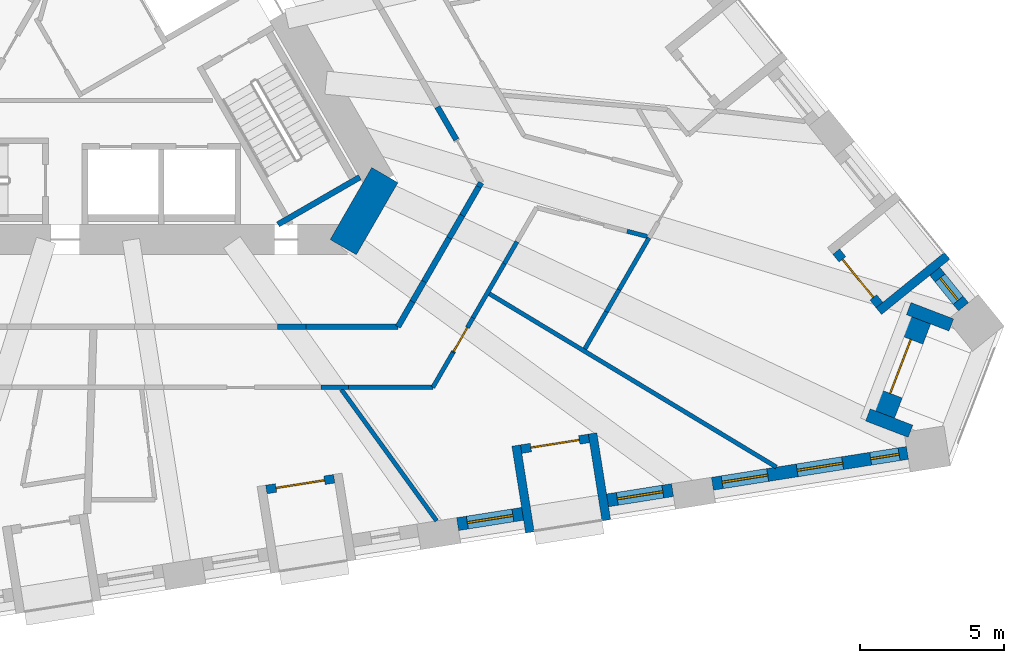
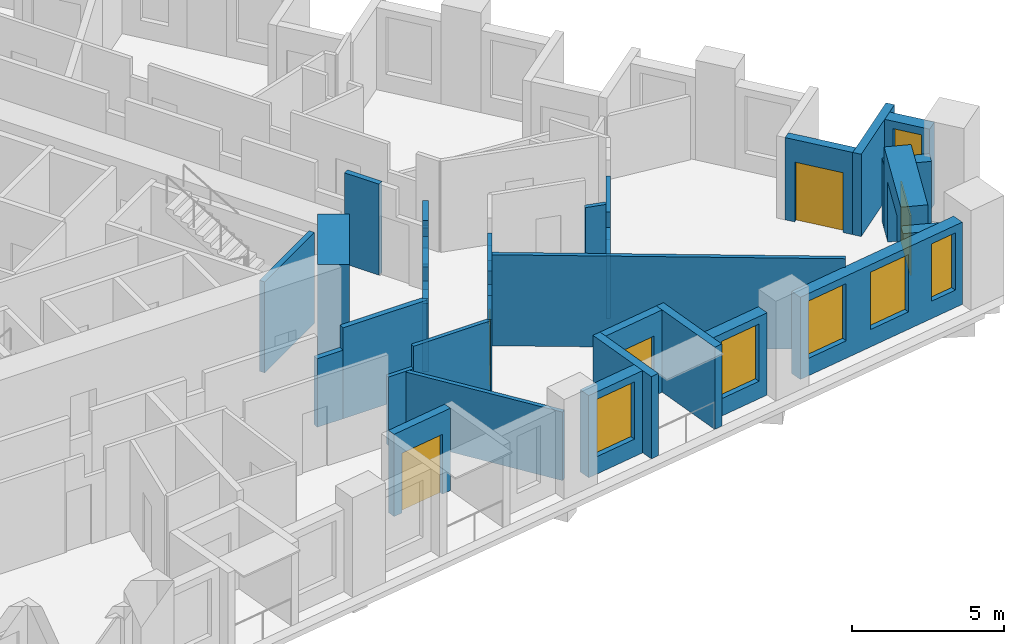
# One storey, part 6 of 14: 36 walls, 6 windows, 5 doors, 11 openings.
"""IFC4 building model written with IfcOpenShell, lengths in metres."""

from ifc_helpers import new_model, si_unit, direction, frame, frame_2d, origin, place, context, subcontext, project, spatial, polyline, rectangle, outline, extrude, material, layer, layer_set, type_object, element, fill, save


model = new_model("IFC4")

# Units and contexts
model_context = context("Model", 3, precision=1e-05, world=origin(), true_north=direction((0.0, 1.0)))
body_context = subcontext(model_context, "Body", "Model", "MODEL_VIEW")
ifc_project = project(units=[si_unit("LENGTHUNIT", "METRE"), si_unit("AREAUNIT", "SQUARE_METRE"), si_unit("VOLUMEUNIT", "CUBIC_METRE"), si_unit("PLANEANGLEUNIT", "RADIAN"), si_unit("MASSUNIT", "GRAM", prefix="KILO")], contexts=[model_context])

# Site, building, storey
site_placement = place(None, origin())
site = spatial("IfcSite", under=ifc_project, at=site_placement, CompositionType="ELEMENT")
building_placement = place(site_placement, origin())
building = spatial("IfcBuilding", under=site, at=building_placement, Name="Tramontana Tower", CompositionType="ELEMENT")
storey_placement = place(building_placement, frame((0.0, 0.0, 63.199951171875)))
storey = spatial("IfcBuildingStorey", under=building, at=storey_placement, Name="L13", CompositionType="ELEMENT", Elevation=63.199951171875)

# Walls
ifc_material_1 = material(Name="Concrete 70 MPa", Category="concrete")
ifc_layer_1 = layer(ifc_material_1, 1.050048828125)
ifc_layer_set_1 = layer_set([ifc_layer_1], Name="Core wall 1050 70 MPa")
wall_type_1 = type_object("IfcWallType", Name="Core wall 1050 70 MPa", PredefinedType="SHEAR", material=ifc_layer_set_1)
wall_1_placement = place(storey_placement, frame((8.349853515625, -6.487548828125, 0.0), z_axis=(0.0, 0.0, 1.0), x_axis=(0.499995765644, 0.866027848477, 0.0)))
element("IfcWall", 1, at=wall_1_placement, inside=storey, type_object=wall_type_1, Name="Core wall C4 L13", PredefinedType="SHEAR", context=body_context, shape_type="SweptSolid", body=[
    extrude(rectangle(XDim=2.88671875, YDim=1.050048828125, at=frame_2d((1.443359375, 0.0))), origin(), (0.0, 0.0, 1.0), 4.0),
])
ifc_material_2 = material(Name="Blockwork", Category="masonry")
ifc_layer_2 = layer(ifc_material_2, 0.199951171875)
ifc_layer_set_2 = layer_set([ifc_layer_2], Name="ENTRY WALL 200")
wall_type_2 = type_object("IfcWallType", Name="ENTRY WALL 200", PredefinedType="SOLIDWALL", material=ifc_layer_set_2)
wall_2_placement = place(storey_placement, frame((11.618408203125, -1.623779296875, 0.0), z_axis=(0.0, 0.0, 1.0), x_axis=(0.500060622324, -0.86599040064, 0.0)))
element("IfcWall", 2, at=wall_2_placement, inside=storey, type_object=wall_type_2, Name="Wall v11-ew0-8", PredefinedType="SOLIDWALL", context=body_context, shape_type="SweptSolid", body=[
    extrude(rectangle(XDim=1.312255859375, YDim=0.199951171875, at=frame_2d((0.65625, 0.0))), origin(), (0.0, 0.0, 1.0), 3.650146484375),
])
wall_3_placement = place(storey_placement, frame((13.134765625, -4.25, 0.0), z_axis=(0.0, 0.0, 1.0), x_axis=(-0.500586455622, -0.865686548612, 0.0)))
element("IfcWall", 3, at=wall_3_placement, inside=storey, type_object=wall_type_2, Name="Wall v11-ew1-0", PredefinedType="SOLIDWALL", context=body_context, shape_type="SweptSolid", body=[
    extrude(rectangle(XDim=0.171142578125, YDim=0.199951171875, at=frame_2d((0.08544921875, 0.0))), origin(), (0.0, 0.0, 1.0), 2.550048828125),
])
wall_4_placement = place(storey_placement, frame((13.049072265625, -4.398193359375, 0.0), z_axis=(0.0, 0.0, 1.0), x_axis=(-0.499889102667, -0.866089420923, 0.0)))
element("IfcWall", 4, at=wall_4_placement, inside=storey, type_object=wall_type_2, Name="Wall v11-ew1-1", PredefinedType="SOLIDWALL", context=body_context, shape_type="SweptSolid", body=[
    extrude(rectangle(XDim=1.141357421875, YDim=0.199951171875, at=frame_2d((0.57080078125, 0.0))), origin(), (0.0, 0.0, 1.0), 3.650146484375),
])
wall_5_placement = place(storey_placement, frame((12.478515625, -5.38671875, 0.0), z_axis=(0.0, 0.0, 1.0), x_axis=(-0.500151474942, -0.865937932021, 0.0)))
element("IfcWall", 5, at=wall_5_placement, inside=storey, type_object=wall_type_2, Name="Wall v11-ew1-2", PredefinedType="SOLIDWALL", context=body_context, shape_type="SweptSolid", body=[
    extrude(rectangle(XDim=0.903076171875, YDim=0.199951171875, at=frame_2d((0.45166015625, 0.0))), origin(), (0.0, 0.0, 1.0), 2.550048828125),
])
wall_6_placement = place(storey_placement, frame((12.02685546875, -6.168701171875, 0.0), z_axis=(0.0, 0.0, 1.0), x_axis=(-0.499900037626, -0.866083109396, 0.0)))
element("IfcWall", 6, at=wall_6_placement, inside=storey, type_object=wall_type_2, Name="Wall v11-ew1-3", PredefinedType="SOLIDWALL", context=body_context, shape_type="SweptSolid", body=[
    extrude(rectangle(XDim=1.745361328125, YDim=0.199951171875, at=frame_2d((0.87255859375, 0.0))), origin(), (0.0, 0.0, 1.0), 3.650146484375),
])
wall_7_placement = place(storey_placement, frame((11.154296875, -7.680419921875, 0.0), z_axis=(0.0, 0.0, 1.0), x_axis=(-0.500151261923, -0.865938055058, 0.0)))
element("IfcWall", 7, at=wall_7_placement, inside=storey, type_object=wall_type_2, Name="Wall v11-ew1-4", PredefinedType="SOLIDWALL", context=body_context, shape_type="SweptSolid", body=[
    extrude(rectangle(XDim=0.804931640625, YDim=0.199951171875, at=frame_2d((0.40234375, 0.0))), origin(), (0.0, 0.0, 1.0), 2.75),
])
wall_8_placement = place(storey_placement, frame((10.751708984375, -8.37744140625, 0.0), z_axis=(0.0, 0.0, 1.0), x_axis=(-0.499918237861, -0.866072604031, 0.0)))
element("IfcWall", 8, at=wall_8_placement, inside=storey, type_object=wall_type_2, Name="Wall v11-ew1-5", PredefinedType="SOLIDWALL", context=body_context, shape_type="SweptSolid", body=[
    extrude(rectangle(XDim=1.007568359375, YDim=0.199951171875, at=frame_2d((0.50390625, 0.0))), origin(), (0.0, 0.0, 1.0), 3.650146484375),
])
wall_9_placement = place(storey_placement, frame((10.248046875, -9.25, 0.0), z_axis=(0.0, 0.0, 1.0), x_axis=(-1.0, 0.0, 0.0)))
element("IfcWall", 9, at=wall_9_placement, inside=storey, type_object=wall_type_2, Name="Wall v11-ew2-0", PredefinedType="SOLIDWALL", context=body_context, shape_type="SweptSolid", body=[
    extrude(rectangle(XDim=3.190673828125, YDim=0.199951171875, at=frame_2d((1.59521484375, 0.0))), origin(), (0.0, 0.0, 1.0), 3.650146484375),
])
wall_10_placement = place(storey_placement, frame((7.057373046875, -9.25, 0.0), z_axis=(0.0, 0.0, 1.0), x_axis=(-1.0, 0.0, 0.0)))
element("IfcWall", 10, at=wall_10_placement, inside=storey, type_object=wall_type_2, Name="Wall v11-ew2-1", PredefinedType="SOLIDWALL", context=body_context, shape_type="SweptSolid", body=[
    extrude(rectangle(XDim=0.981201171875, YDim=0.199951171875, at=frame_2d((0.49072265625, 0.0))), origin(), (0.0, 0.0, 1.0), 2.75),
])

# Wall, opening, window
ifc_material_3 = material(Name="Precast concrete 60 MPa", Category="concrete")
ifc_layer_3 = layer(ifc_material_3, 0.449951171875)
ifc_layer_set_3 = layer_set([ifc_layer_3], Name="Precast concrete 60 MPa, 450 mm")
wall_type_3 = type_object("IfcWallType", Name="EW1 Stone-faced precast wall 450", PredefinedType="SOLIDWALL", material=ifc_layer_set_3)
wall_11_placement = place(storey_placement, frame((12.318603515625, -16.09619140625, 0.0), z_axis=(0.0, 0.0, 1.0), x_axis=(0.987685675151, 0.156451293065, 0.0)))
wall_11 = element("IfcWall", 11, at=wall_11_placement, inside=storey, type_object=wall_type_3, Name="External wall L13 face 1 bay 5", PredefinedType="SOLIDWALL", context=body_context, shape_type="SweptSolid", body=[
    extrude(rectangle(XDim=2.282958984375, YDim=0.449951171875, at=frame_2d((1.1416015625, 0.0))), origin(), (0.0, 0.0, 1.0), 3.300048828125),
])
opening_1_placement = place(wall_11_placement, frame((0.341552734375, 0.0, 0.699951171875)))
opening_1 = element("IfcOpeningElement", 12, at=opening_1_placement, cuts=wall_11, Name="Opening M1", PredefinedType="OPENING", context=body_context, shape_type="SweptSolid", body=[
    extrude(rectangle(XDim=1.60009765625, YDim=2.300048828125, at=frame_2d((0.800048828125, 1.14990234375))), frame((0.0, 0.23486328125, 0.0), z_axis=(0.0, -1.0, 0.0), x_axis=(1.0, 0.0, 0.0)), (0.0, 0.0, 1.0), 0.469970703125),
])
ifc_material_4 = material(Name="Aluminum frame, double glazing unit", Category="aluminium")
window_type_1 = type_object("IfcWindowType", Name="M1 Window 1.6 x 2.3", PartitioningType="SINGLE_PANEL", PredefinedType="WINDOW", material=ifc_material_4)
window_1_placement = place(opening_1_placement, origin())
window_1 = element("IfcWindow", 13, at=window_1_placement, inside=storey, type_object=window_type_1, Name="Window M1 L13 face 1 module 13", OverallHeight=2.300048828125, OverallWidth=1.60009765625, PartitioningType="SINGLE_PANEL", PredefinedType="WINDOW", context=body_context, shape_type="SweptSolid", body=[
    extrude(rectangle(XDim=1.60009765625, YDim=2.300048828125, at=frame_2d((0.800048828125, 1.14990234375))), frame((0.0, 0.030029296875, 0.0), z_axis=(0.0, -1.0, 0.0), x_axis=(1.0, 0.0, 0.0)), (0.0, 0.0, 1.0), 0.06005859375),
])
fill(opening_1, window_1)

wall_12_placement = place(storey_placement, frame((17.519775390625, -15.2724609375, 0.0), z_axis=(0.0, 0.0, 1.0), x_axis=(0.987685675151, 0.156451293065, 0.0)))
wall_12 = element("IfcWall", 14, at=wall_12_placement, inside=storey, type_object=wall_type_3, Name="External wall L13 face 1 bay 5", PredefinedType="SOLIDWALL", context=body_context, shape_type="SweptSolid", body=[
    extrude(rectangle(XDim=2.282958984375, YDim=0.449951171875, at=frame_2d((1.1416015625, 0.0))), origin(), (0.0, 0.0, 1.0), 3.300048828125),
])
opening_2_placement = place(wall_12_placement, frame((0.341552734375, 0.0, 0.699951171875)))
opening_2 = element("IfcOpeningElement", 15, at=opening_2_placement, cuts=wall_12, Name="Opening M1", PredefinedType="OPENING", context=body_context, shape_type="SweptSolid", body=[
    extrude(rectangle(XDim=1.60009765625, YDim=2.300048828125, at=frame_2d((0.800048828125, 1.14990234375))), frame((0.0, 0.23486328125, 0.0), z_axis=(0.0, -1.0, 0.0), x_axis=(1.0, 0.0, 0.0)), (0.0, 0.0, 1.0), 0.469970703125),
])
window_2_placement = place(opening_2_placement, origin())
window_2 = element("IfcWindow", 16, at=window_2_placement, inside=storey, type_object=window_type_1, Name="Window M1 L13 face 1 module 15", OverallHeight=2.300048828125, OverallWidth=1.60009765625, PartitioningType="SINGLE_PANEL", PredefinedType="WINDOW", context=body_context, shape_type="SweptSolid", body=[
    extrude(rectangle(XDim=1.60009765625, YDim=2.300048828125, at=frame_2d((0.800048828125, 1.14990234375))), frame((0.0, 0.030029296875, 0.0), z_axis=(0.0, -1.0, 0.0), x_axis=(1.0, 0.0, 0.0)), (0.0, 0.0, 1.0), 0.06005859375),
])
fill(opening_2, window_2)

# Wall, openings, windows
wall_13_placement = place(storey_placement, frame((21.1572265625, -14.6962890625, 0.0), z_axis=(0.0, 0.0, 1.0), x_axis=(0.987685675151, 0.156451293065, 0.0)))
wall_13 = element("IfcWall", 17, at=wall_13_placement, inside=storey, type_object=wall_type_3, Name="External wall L13 face 1 bay 6", PredefinedType="SOLIDWALL", context=body_context, shape_type="SweptSolid", body=[
    extrude(rectangle(XDim=6.848876953125, YDim=0.449951171875, at=frame_2d((3.42431640625, 0.0))), origin(), (0.0, 0.0, 1.0), 3.300048828125),
])
opening_3_placement = place(wall_13_placement, frame((0.341552734375, 0.0, 0.699951171875)))
opening_3 = element("IfcOpeningElement", 18, at=opening_3_placement, cuts=wall_13, Name="Opening M1", PredefinedType="OPENING", context=body_context, shape_type="SweptSolid", body=[
    extrude(rectangle(XDim=1.60009765625, YDim=2.300048828125, at=frame_2d((0.800048828125, 1.14990234375))), frame((0.0, 0.23486328125, 0.0), z_axis=(0.0, -1.0, 0.0), x_axis=(1.0, 0.0, 0.0)), (0.0, 0.0, 1.0), 0.469970703125),
])
opening_4_placement = place(wall_13_placement, frame((2.974365234375, 0.0, 0.699951171875)))
opening_4 = element("IfcOpeningElement", 19, at=opening_4_placement, cuts=wall_13, Name="Opening M1", PredefinedType="OPENING", context=body_context, shape_type="SweptSolid", body=[
    extrude(rectangle(XDim=1.60009765625, YDim=2.300048828125, at=frame_2d((0.800048828125, 1.14990234375))), frame((0.0, 0.23486328125, 0.0), z_axis=(0.0, -1.0, 0.0), x_axis=(1.0, 0.0, 0.0)), (0.0, 0.0, 1.0), 0.469970703125),
])
opening_5_placement = place(wall_13_placement, frame((5.557373046875, 0.0, 0.699951171875)))
opening_5 = element("IfcOpeningElement", 20, at=opening_5_placement, cuts=wall_13, Name="Opening N1", PredefinedType="OPENING", context=body_context, shape_type="SweptSolid", body=[
    extrude(rectangle(XDim=1.0, YDim=2.300048828125, at=frame_2d((0.5, 1.14990234375))), frame((0.0, 0.23486328125, 0.0), z_axis=(0.0, -1.0, 0.0), x_axis=(1.0, 0.0, 0.0)), (0.0, 0.0, 1.0), 0.469970703125),
])
window_3_placement = place(opening_3_placement, origin())
window_3 = element("IfcWindow", 21, at=window_3_placement, inside=storey, type_object=window_type_1, Name="Window M1 L13 face 1 module 16", OverallHeight=2.300048828125, OverallWidth=1.60009765625, PartitioningType="SINGLE_PANEL", PredefinedType="WINDOW", context=body_context, shape_type="SweptSolid", body=[
    extrude(rectangle(XDim=1.60009765625, YDim=2.300048828125, at=frame_2d((0.800048828125, 1.14990234375))), frame((0.0, 0.030029296875, 0.0), z_axis=(0.0, -1.0, 0.0), x_axis=(1.0, 0.0, 0.0)), (0.0, 0.0, 1.0), 0.06005859375),
])
fill(opening_3, window_3)
window_4_placement = place(opening_4_placement, origin())
window_4 = element("IfcWindow", 22, at=window_4_placement, inside=storey, type_object=window_type_1, Name="Window M1 L13 face 1 module 17", OverallHeight=2.300048828125, OverallWidth=1.60009765625, PartitioningType="SINGLE_PANEL", PredefinedType="WINDOW", context=body_context, shape_type="SweptSolid", body=[
    extrude(rectangle(XDim=1.60009765625, YDim=2.300048828125, at=frame_2d((0.800048828125, 1.14990234375))), frame((0.0, 0.030029296875, 0.0), z_axis=(0.0, -1.0, 0.0), x_axis=(1.0, 0.0, 0.0)), (0.0, 0.0, 1.0), 0.06005859375),
])
fill(opening_4, window_4)
ifc_material_5 = material(Name="Aluminum frame, double glazing unit", Category="aluminium")
window_type_2 = type_object("IfcWindowType", Name="N1 Window 1 x 2.3", PartitioningType="SINGLE_PANEL", PredefinedType="WINDOW", material=ifc_material_5)
window_5_placement = place(opening_5_placement, origin())
window_5 = element("IfcWindow", 23, at=window_5_placement, inside=storey, type_object=window_type_2, Name="Window N1 L13 face 1 module 18", OverallHeight=2.300048828125, OverallWidth=1.0, PartitioningType="SINGLE_PANEL", PredefinedType="WINDOW", context=body_context, shape_type="SweptSolid", body=[
    extrude(rectangle(XDim=1.0, YDim=2.300048828125, at=frame_2d((0.5, 1.14990234375))), frame((0.0, 0.030029296875, 0.0), z_axis=(0.0, -1.0, 0.0), x_axis=(1.0, 0.0, 0.0)), (0.0, 0.0, 1.0), 0.06005859375),
])
fill(opening_5, window_5)

# Wall, opening, window
wall_14_placement = place(storey_placement, frame((29.86669921875, -8.558349609375, 0.0), z_axis=(0.0, 0.0, 1.0), x_axis=(-0.629273652342, 0.77718380739, 0.0)))
wall_14 = element("IfcWall", 24, at=wall_14_placement, inside=storey, type_object=wall_type_3, Name="External wall L13 face 2 bay 1", PredefinedType="SOLIDWALL", context=body_context, shape_type="SweptSolid", body=[
    extrude(rectangle(XDim=1.5830078125, YDim=0.449951171875, at=frame_2d((0.79150390625, 0.0))), origin(), (0.0, 0.0, 1.0), 3.300048828125),
])
opening_6_placement = place(wall_14_placement, frame((0.29150390625, 0.0, 0.699951171875)))
opening_6 = element("IfcOpeningElement", 25, at=opening_6_placement, cuts=wall_14, Name="Opening N1", PredefinedType="OPENING", context=body_context, shape_type="SweptSolid", body=[
    extrude(rectangle(XDim=1.0, YDim=2.300048828125, at=frame_2d((0.5, 1.14990234375))), frame((0.0, 0.23486328125, 0.0), z_axis=(0.0, -1.0, 0.0), x_axis=(1.0, 0.0, 0.0)), (0.0, 0.0, 1.0), 0.469970703125),
])
window_6_placement = place(opening_6_placement, origin())
window_6 = element("IfcWindow", 26, at=window_6_placement, inside=storey, type_object=window_type_2, Name="Window N1 L13 face 2 module 1", OverallHeight=2.300048828125, OverallWidth=1.0, PartitioningType="SINGLE_PANEL", PredefinedType="WINDOW", context=body_context, shape_type="SweptSolid", body=[
    extrude(rectangle(XDim=1.0, YDim=2.300048828125, at=frame_2d((0.5, 1.14990234375))), frame((0.0, 0.030029296875, 0.0), z_axis=(0.0, -1.0, 0.0), x_axis=(1.0, 0.0, 0.0)), (0.0, 0.0, 1.0), 0.06005859375),
])
fill(opening_6, window_6)

# Walls
for number, where, z_axis, x_axis, name in (
    (27, (29.442626953125, -9.1865234375, 0.0), (0.0, 0.0, 1.0), (-0.93358843832, 0.358347077335, 0.0), "Corner loggia side wall L13 K12l"),
    (28, (28.027099609375, -12.8740234375, 0.0), (0.0, 0.0, 1.0), (-0.93358843832, 0.358347077335, 0.0), "Corner loggia side wall L13 K12r"),
):
    element("IfcWall", number, at=place(storey_placement, frame(where, z_axis=z_axis, x_axis=x_axis)), inside=storey, type_object=wall_type_3, Name=name, PredefinedType="SOLIDWALL", context=body_context, shape_type="SweptSolid", body=[
        extrude(rectangle(XDim=1.579345703125, YDim=0.449951171875, at=frame_2d((0.78955078125, 0.0))), origin(), (0.0, 0.0, 1.0), 2.550048828125),
    ])

# Wall, opening, door
ifc_material_6 = material(Name="Precast concrete 60 MPa", Category="concrete")
ifc_layer_4 = layer(ifc_material_6, 0.89990234375)
ifc_layer_set_4 = layer_set([ifc_layer_4], Name="EW2 Stone-faced corner loggia wall 900")
wall_type_4 = type_object("IfcWallType", Name="EW2 Stone-faced corner loggia wall 900", PredefinedType="SOLIDWALL", material=ifc_layer_set_4)
wall_15_placement = place(storey_placement, frame((28.307861328125, -8.991943359375, 0.0), z_axis=(0.0, 0.0, 1.0), x_axis=(-0.35841340332, -0.933562977158, 0.0)))
wall_15 = element("IfcWall", 29, at=wall_15_placement, inside=storey, type_object=wall_type_4, Name="Corner loggia wall L13 K12", PredefinedType="SOLIDWALL", context=body_context, shape_type="SweptSolid", body=[
    extrude(rectangle(XDim=3.499755859375, YDim=0.89990234375, at=frame_2d((1.75, 0.0))), origin(), (0.0, 0.0, 1.0), 3.300048828125),
])
opening_7_placement = place(wall_15_placement, frame((0.75, 0.0, 0.0)))
opening_7 = element("IfcOpeningElement", 30, at=opening_7_placement, cuts=wall_15, Name="Opening BD-12C", PredefinedType="OPENING", context=body_context, shape_type="SweptSolid", body=[
    extrude(rectangle(XDim=2.0, YDim=2.39990234375, at=frame_2d((1.0, 1.199951171875))), frame((0.0, 0.4599609375, 0.0), z_axis=(0.0, -1.0, 0.0), x_axis=(1.0, 0.0, 0.0)), (0.0, 0.0, 1.0), 0.919921875),
])
ifc_material_7 = material(Name="Aluminum frame, double glazing unit", Category="aluminium")
door_type_1 = type_object("IfcDoorType", Name="BC1 Sliding door 2 x 2.4", OperationType="SLIDING_TO_LEFT", PredefinedType="DOOR", material=ifc_material_7)
door_1_placement = place(opening_7_placement, origin())
door_1 = element("IfcDoor", 31, at=door_1_placement, inside=storey, type_object=door_type_1, Name="Corner loggia door L13 K12", OperationType="SLIDING_TO_LEFT", OverallHeight=2.39990234375, OverallWidth=2.0, PredefinedType="DOOR", context=body_context, shape_type="SweptSolid", body=[
    extrude(rectangle(XDim=2.0, YDim=2.39990234375, at=frame_2d((1.0, 1.199951171875))), frame((0.0, 0.02490234375, 0.0), z_axis=(0.0, -1.0, 0.0), x_axis=(1.0, 0.0, 0.0)), (0.0, 0.0, 1.0), 0.050048828125),
])
fill(opening_7, door_1)

ifc_material_8 = material(Name="Precast concrete 60 MPa", Category="concrete")
ifc_layer_5 = layer(ifc_material_8, 0.300048828125)
ifc_layer_set_5 = layer_set([ifc_layer_5], Name="LW1 Stone-faced loggia wall 300")
wall_type_5 = type_object("IfcWallType", Name="LW1 Stone-faced loggia wall 300", PredefinedType="SOLIDWALL", material=ifc_layer_set_5)
wall_16_placement = place(storey_placement, frame((5.682861328125, -14.894287109375, 0.0), z_axis=(0.0, 0.0, 1.0), x_axis=(0.987688093492, 0.15643602518, 0.0)))
wall_16 = element("IfcWall", 32, at=wall_16_placement, inside=storey, type_object=wall_type_5, Name="Loggia wall L13 G1S1.10", PredefinedType="SOLIDWALL", context=body_context, shape_type="SweptSolid", body=[
    extrude(rectangle(XDim=2.383056640625, YDim=0.300048828125, at=frame_2d((1.19140625, 0.0))), origin(), (0.0, 0.0, 1.0), 3.300048828125),
])
opening_8_placement = place(wall_16_placement, frame((0.341552734375, 0.0, 0.0)))
opening_8 = element("IfcOpeningElement", 33, at=opening_8_placement, cuts=wall_16, Name="Opening BD-1S1-10", PredefinedType="OPENING", context=body_context, shape_type="SweptSolid", body=[
    extrude(rectangle(XDim=1.699951171875, YDim=2.39990234375, at=frame_2d((0.85009765625, 1.199951171875))), frame((0.0, 0.159912109375, 0.0), z_axis=(0.0, -1.0, 0.0), x_axis=(1.0, 0.0, 0.0)), (0.0, 0.0, 1.0), 0.320068359375),
])
ifc_material_9 = material(Name="Aluminum frame, double glazing unit", Category="aluminium")
door_type_2 = type_object("IfcDoorType", Name="BD1 Sliding door 1.7 x 2.4", OperationType="SLIDING_TO_LEFT", PredefinedType="DOOR", material=ifc_material_9)
door_2_placement = place(opening_8_placement, origin())
door_2 = element("IfcDoor", 34, at=door_2_placement, inside=storey, type_object=door_type_2, Name="Loggia door L13 G1S1.10", OperationType="SLIDING_TO_LEFT", OverallHeight=2.39990234375, OverallWidth=1.699951171875, PredefinedType="DOOR", context=body_context, shape_type="SweptSolid", body=[
    extrude(rectangle(XDim=1.699951171875, YDim=2.39990234375, at=frame_2d((0.85009765625, 1.199951171875))), frame((0.0, 0.02490234375, 0.0), z_axis=(0.0, -1.0, 0.0), x_axis=(1.0, 0.0, 0.0)), (0.0, 0.0, 1.0), 0.050048828125),
])
fill(opening_8, door_2)

wall_17_placement = place(storey_placement, frame((14.521728515625, -13.494384765625, 0.0), z_axis=(0.0, 0.0, 1.0), x_axis=(0.987685586014, 0.156451855793, 0.0)))
wall_17 = element("IfcWall", 35, at=wall_17_placement, inside=storey, type_object=wall_type_5, Name="Loggia wall L13 G1S1.13", PredefinedType="SOLIDWALL", context=body_context, shape_type="SweptSolid", body=[
    extrude(rectangle(XDim=2.3828125, YDim=0.300048828125, at=frame_2d((1.19140625, 0.0))), origin(), (0.0, 0.0, 1.0), 3.300048828125),
])
opening_9_placement = place(wall_17_placement, frame((0.341552734375, 0.0, 0.0)))
opening_9 = element("IfcOpeningElement", 36, at=opening_9_placement, cuts=wall_17, Name="Opening BD-1S1-13", PredefinedType="OPENING", context=body_context, shape_type="SweptSolid", body=[
    extrude(rectangle(XDim=1.699951171875, YDim=2.39990234375, at=frame_2d((0.85009765625, 1.199951171875))), frame((0.0, 0.159912109375, 0.0), z_axis=(0.0, -1.0, 0.0), x_axis=(1.0, 0.0, 0.0)), (0.0, 0.0, 1.0), 0.320068359375),
])
door_3_placement = place(opening_9_placement, origin())
door_3 = element("IfcDoor", 37, at=door_3_placement, inside=storey, type_object=door_type_2, Name="Loggia door L13 G1S1.13", OperationType="SLIDING_TO_LEFT", OverallHeight=2.39990234375, OverallWidth=1.699951171875, PredefinedType="DOOR", context=body_context, shape_type="SweptSolid", body=[
    extrude(rectangle(XDim=1.699951171875, YDim=2.39990234375, at=frame_2d((0.85009765625, 1.199951171875))), frame((0.0, 0.02490234375, 0.0), z_axis=(0.0, -1.0, 0.0), x_axis=(1.0, 0.0, 0.0)), (0.0, 0.0, 1.0), 0.050048828125),
])
fill(opening_9, door_3)

# Walls
for number, where, z_axis, x_axis, name in (
    (38, (14.8271484375, -16.38232421875, 0.0), (0.0, 0.0, 1.0), (-0.156410600741, 0.987692120033, 0.0), "Loggia return L13 G1S1.13a"),
    (39, (17.47705078125, -15.96240234375, 0.0), (0.0, 0.0, 1.0), (-0.156410600741, 0.987692120033, 0.0), "Loggia return L13 G1S1.13b"),
):
    element("IfcWall", number, at=place(storey_placement, frame(where, z_axis=z_axis, x_axis=x_axis)), inside=storey, type_object=wall_type_5, Name=name, PredefinedType="SOLIDWALL", context=body_context, shape_type="SweptSolid", body=[
        extrude(rectangle(XDim=3.050048828125, YDim=0.300048828125, at=frame_2d((1.52490234375, 0.0))), origin(), (0.0, 0.0, 1.0), 3.300048828125),
    ])

# Wall, opening, door
wall_18_placement = place(storey_placement, frame((26.95263671875, -8.4951171875, 0.0), z_axis=(0.0, 0.0, 1.0), x_axis=(-0.62930727886, 0.777156579316, 0.0)))
wall_18 = element("IfcWall", 40, at=wall_18_placement, inside=storey, type_object=wall_type_5, Name="Loggia wall L13 G1S2.1", PredefinedType="SOLIDWALL", context=body_context, shape_type="SweptSolid", body=[
    extrude(rectangle(XDim=2.3828125, YDim=0.300048828125, at=frame_2d((1.19140625, 0.0))), origin(), (0.0, 0.0, 1.0), 3.300048828125),
])
opening_10_placement = place(wall_18_placement, frame((0.341552734375, 0.0, 0.0)))
opening_10 = element("IfcOpeningElement", 41, at=opening_10_placement, cuts=wall_18, Name="Opening BD-1S2-01", PredefinedType="OPENING", context=body_context, shape_type="SweptSolid", body=[
    extrude(rectangle(XDim=1.699951171875, YDim=2.39990234375, at=frame_2d((0.85009765625, 1.199951171875))), frame((0.0, 0.159912109375, 0.0), z_axis=(0.0, -1.0, 0.0), x_axis=(1.0, 0.0, 0.0)), (0.0, 0.0, 1.0), 0.320068359375),
])
door_4_placement = place(opening_10_placement, origin())
door_4 = element("IfcDoor", 42, at=door_4_placement, inside=storey, type_object=door_type_2, Name="Loggia door L13 G1S2.1", OperationType="SLIDING_TO_LEFT", OverallHeight=2.39990234375, OverallWidth=1.699951171875, PredefinedType="DOOR", context=body_context, shape_type="SweptSolid", body=[
    extrude(rectangle(XDim=1.699951171875, YDim=2.39990234375, at=frame_2d((0.85009765625, 1.199951171875))), frame((0.0, 0.02490234375, 0.0), z_axis=(0.0, -1.0, 0.0), x_axis=(1.0, 0.0, 0.0)), (0.0, 0.0, 1.0), 0.050048828125),
])
fill(opening_10, door_4)

# Walls
wall_19_placement = place(storey_placement, frame((29.30078125, -6.78662109375, 0.0), z_axis=(0.0, 0.0, 1.0), x_axis=(-0.777153523895, -0.629311052102, 0.0)))
element("IfcWall", 43, at=wall_19_placement, inside=storey, type_object=wall_type_5, Name="Loggia return L13 G1S2.1a", PredefinedType="SOLIDWALL", context=body_context, shape_type="SweptSolid", body=[
    extrude(rectangle(XDim=3.050048828125, YDim=0.300048828125, at=frame_2d((1.52490234375, 0.0))), origin(), (0.0, 0.0, 1.0), 3.300048828125),
])
ifc_material_10 = material(Name="Gypsum board partition")
ifc_layer_6 = layer(ifc_material_10, 0.14990234375)
ifc_layer_set_6 = layer_set([ifc_layer_6], Name="PARTITION 150")
wall_type_6 = type_object("IfcWallType", Name="PARTITION 150", PredefinedType="PARTITIONING", material=ifc_layer_set_6)
wall_20_placement = place(storey_placement, frame((11.46044921875, -11.35009765625, 0.0), z_axis=(0.0, 0.0, 1.0), x_axis=(-1.0, 0.0, 0.0)))
element("IfcWall", 44, at=wall_20_placement, inside=storey, type_object=wall_type_6, Name="Wall v11-pw43-0", PredefinedType="PARTITIONING", context=body_context, shape_type="SweptSolid", body=[
    extrude(rectangle(XDim=2.927734375, YDim=0.14990234375, at=frame_2d((1.4638671875, 0.0))), origin(), (0.0, 0.0, 1.0), 3.650146484375),
])
wall_21_placement = place(storey_placement, frame((8.53271484375, -11.35009765625, 0.0), z_axis=(0.0, 0.0, 1.0), x_axis=(-1.0, 0.0, 0.0)))
element("IfcWall", 45, at=wall_21_placement, inside=storey, type_object=wall_type_6, Name="Wall v11-pw43-1", PredefinedType="PARTITIONING", context=body_context, shape_type="SweptSolid", body=[
    extrude(rectangle(XDim=0.950439453125, YDim=0.14990234375, at=frame_2d((0.47509765625, 0.0))), origin(), (0.0, 0.0, 1.0), 2.75),
])
wall_22_placement = place(storey_placement, frame((11.592041015625, -15.9833984375, 0.0), z_axis=(0.0, 0.0, 1.0), x_axis=(-0.587096160598, 0.809517200689, 0.0)))
element("IfcWall", 46, at=wall_22_placement, inside=storey, type_object=wall_type_6, Name="Wall v11-pw44-0", PredefinedType="PARTITIONING", context=body_context, shape_type="SweptSolid", body=[
    extrude(rectangle(XDim=5.630859375, YDim=0.14990234375, at=frame_2d((2.8154296875, 0.0))), origin(), (0.0, 0.0, 1.0), 2.75),
])
wall_23_placement = place(storey_placement, frame((14.378173828125, -6.296142578125, 0.0), z_axis=(0.0, 0.0, 1.0), x_axis=(-0.49990697594, -0.86607910459, 0.0)))
element("IfcWall", 47, at=wall_23_placement, inside=storey, type_object=wall_type_6, Name="Wall v11-pw51-1", PredefinedType="PARTITIONING", context=body_context, shape_type="SweptSolid", body=[
    extrude(rectangle(XDim=0.878173828125, YDim=0.14990234375, at=frame_2d((0.43896484375, 0.0))), origin(), (0.0, 0.0, 1.0), 2.550048828125),
])
wall_24_placement = place(storey_placement, frame((13.939208984375, -7.056640625, 0.0), z_axis=(0.0, 0.0, 1.0), x_axis=(-0.499978335414, -0.866037911478, 0.0)))
element("IfcWall", 48, at=wall_24_placement, inside=storey, type_object=wall_type_6, Name="Wall v11-pw51-2", PredefinedType="PARTITIONING", context=body_context, shape_type="SweptSolid", body=[
    extrude(rectangle(XDim=2.1748046875, YDim=0.14990234375, at=frame_2d((1.08740234375, 0.0))), origin(), (0.0, 0.0, 1.0), 3.650146484375),
])

# Wall, opening, door
wall_25_placement = place(storey_placement, frame((12.851806640625, -8.940185546875, 0.0), z_axis=(0.0, 0.0, 1.0), x_axis=(-0.500087364259, -0.86597495813, 0.0)))
wall_25 = element("IfcWall", 49, at=wall_25_placement, inside=storey, type_object=wall_type_6, Name="Wall v11-pw51-3", PredefinedType="PARTITIONING", context=body_context, shape_type="SweptSolid", body=[
    extrude(outline(polyline([(0.0, 0.0), (1.389892578125, 0.0), (1.389892578125, 3.650146484375), (0.779541015625, 3.650146484375), (0.779541015625, 2.75), (0.0, 2.75), (0.0, 0.0)])), frame((0.0, 0.074951171875, 0.0), z_axis=(0.0, -1.0, 0.0), x_axis=(1.0, 0.0, 0.0)), (0.0, 0.0, 1.0), 0.14990234375),
])
opening_11_placement = place(wall_25_placement, frame((0.389892578125, 0.0, 0.0)))
opening_11 = element("IfcOpeningElement", 50, at=opening_11_placement, cuts=wall_25, Name="Opening B1B-23", PredefinedType="OPENING", context=body_context, shape_type="SweptSolid", body=[
    extrude(rectangle(XDim=0.949951171875, YDim=2.39990234375, at=frame_2d((0.47509765625, 1.199951171875))), frame((0.0, 0.0849609375, 0.0), z_axis=(0.0, -1.0, 0.0), x_axis=(1.0, 0.0, 0.0)), (0.0, 0.0, 1.0), 0.169921875),
])
ifc_material_11 = material(Name="Painted timber", Category="wood")
door_type_3 = type_object("IfcDoorType", Name="DOOR ROOM 950", OperationType="SINGLE_SWING_LEFT", PredefinedType="DOOR", material=ifc_material_11)
door_5_placement = place(opening_11_placement, origin())
door_5 = element("IfcDoor", 51, at=door_5_placement, inside=storey, type_object=door_type_3, Name="Door B1B-23", OperationType="SINGLE_SWING_LEFT", OverallHeight=2.39990234375, OverallWidth=0.949951171875, PredefinedType="DOOR", context=body_context, shape_type="SweptSolid", body=[
    extrude(rectangle(XDim=0.949951171875, YDim=2.39990234375, at=frame_2d((0.47509765625, 1.199951171875))), frame((0.0, 0.02490234375, 0.0), z_axis=(0.0, -1.0, 0.0), x_axis=(1.0, 0.0, 0.0)), (0.0, 0.0, 1.0), 0.050048828125),
])
fill(opening_11, door_5)

# Walls
wall_26_placement = place(storey_placement, frame((12.15673828125, -10.143798828125, 0.0), z_axis=(0.0, 0.0, 1.0), x_axis=(-0.499909592859, -0.86607759408, 0.0)))
element("IfcWall", 52, at=wall_26_placement, inside=storey, type_object=wall_type_6, Name="Wall v11-pw51-4", PredefinedType="PARTITIONING", context=body_context, shape_type="SweptSolid", body=[
    extrude(rectangle(XDim=1.392822265625, YDim=0.14990234375, at=frame_2d((0.6962890625, 0.0))), origin(), (0.0, 0.0, 1.0), 3.650146484375),
])
wall_27_placement = place(storey_placement, frame((18.89794921875, -6.11767578125, 0.0), z_axis=(0.0, 0.0, 1.0), x_axis=(-0.967620841463, 0.252408215331, 0.0)))
element("IfcWall", 53, at=wall_27_placement, inside=storey, type_object=wall_type_6, Name="Wall v11-pw53-0", PredefinedType="PARTITIONING", context=body_context, shape_type="SweptSolid", body=[
    extrude(rectangle(XDim=0.726318359375, YDim=0.14990234375, at=frame_2d((0.36328125, 0.0))), origin(), (0.0, 0.0, 1.0), 2.550048828125),
])
wall_28_placement = place(storey_placement, frame((18.957763671875, -6.1640625, 0.0), z_axis=(0.0, 0.0, 1.0), x_axis=(-0.499939227269, -0.866060488094, 0.0)))
element("IfcWall", 54, at=wall_28_placement, inside=storey, type_object=wall_type_6, Name="Wall v11-pw55-2", PredefinedType="PARTITIONING", context=body_context, shape_type="SweptSolid", body=[
    extrude(rectangle(XDim=2.079833984375, YDim=0.14990234375, at=frame_2d((1.0400390625, 0.0))), origin(), (0.0, 0.0, 1.0), 3.650146484375),
])
wall_29_placement = place(storey_placement, frame((17.91796875, -7.96533203125, 0.0), z_axis=(0.0, 0.0, 1.0), x_axis=(-0.500115484592, -0.865958718457, 0.0)))
element("IfcWall", 55, at=wall_29_placement, inside=storey, type_object=wall_type_6, Name="Wall v11-pw55-3", PredefinedType="PARTITIONING", context=body_context, shape_type="SweptSolid", body=[
    extrude(rectangle(XDim=0.878173828125, YDim=0.14990234375, at=frame_2d((0.43896484375, 0.0))), origin(), (0.0, 0.0, 1.0), 2.550048828125),
])
wall_30_placement = place(storey_placement, frame((17.478759765625, -8.725830078125, 0.0), z_axis=(0.0, 0.0, 1.0), x_axis=(-0.500048435424, -0.865997437773, 0.0)))
element("IfcWall", 56, at=wall_30_placement, inside=storey, type_object=wall_type_6, Name="Wall v11-pw55-4", PredefinedType="PARTITIONING", context=body_context, shape_type="SweptSolid", body=[
    extrude(rectangle(XDim=1.490966796875, YDim=0.14990234375, at=frame_2d((0.74560546875, 0.0))), origin(), (0.0, 0.0, 1.0), 3.650146484375),
])
wall_31_placement = place(storey_placement, frame((23.376953125, -14.11669921875, 0.0), z_axis=(0.0, 0.0, 1.0), x_axis=(-0.856026239053, 0.516932372803, 0.0)))
element("IfcWall", 57, at=wall_31_placement, inside=storey, type_object=wall_type_6, Name="Wall v11-pw58", PredefinedType="PARTITIONING", context=body_context, shape_type="SweptSolid", body=[
    extrude(rectangle(XDim=11.630615234375, YDim=0.14990234375, at=frame_2d((5.8154296875, 0.0))), origin(), (0.0, 0.0, 1.0), 3.650146484375),
])
ifc_material_12 = material(Name="Concrete 70 MPa", Category="concrete")
ifc_layer_7 = layer(ifc_material_12, 0.199951171875)
ifc_layer_set_7 = layer_set([ifc_layer_7], Name="Concrete 70 MPa, 200 mm")
wall_type_7 = type_object("IfcWallType", Name="RC STAIR AND SHAFT WALL 200", PredefinedType="SOLIDWALL", material=ifc_layer_set_7)
wall_32_placement = place(storey_placement, frame((6.08740234375, -5.699951171875, 0.0), z_axis=(0.0, 0.0, 1.0), x_axis=(0.866006986733, 0.500031897912, 0.0)))
element("IfcWall", 58, at=wall_32_placement, inside=storey, type_object=wall_type_7, Name="Wall st3-far", PredefinedType="SOLIDWALL", context=body_context, shape_type="SweptSolid", body=[
    extrude(rectangle(XDim=3.278076171875, YDim=0.199951171875, at=frame_2d((1.63916015625, 0.0))), origin(), (0.0, 0.0, 1.0), 3.650146484375),
])

save(model, "model.ifc")
